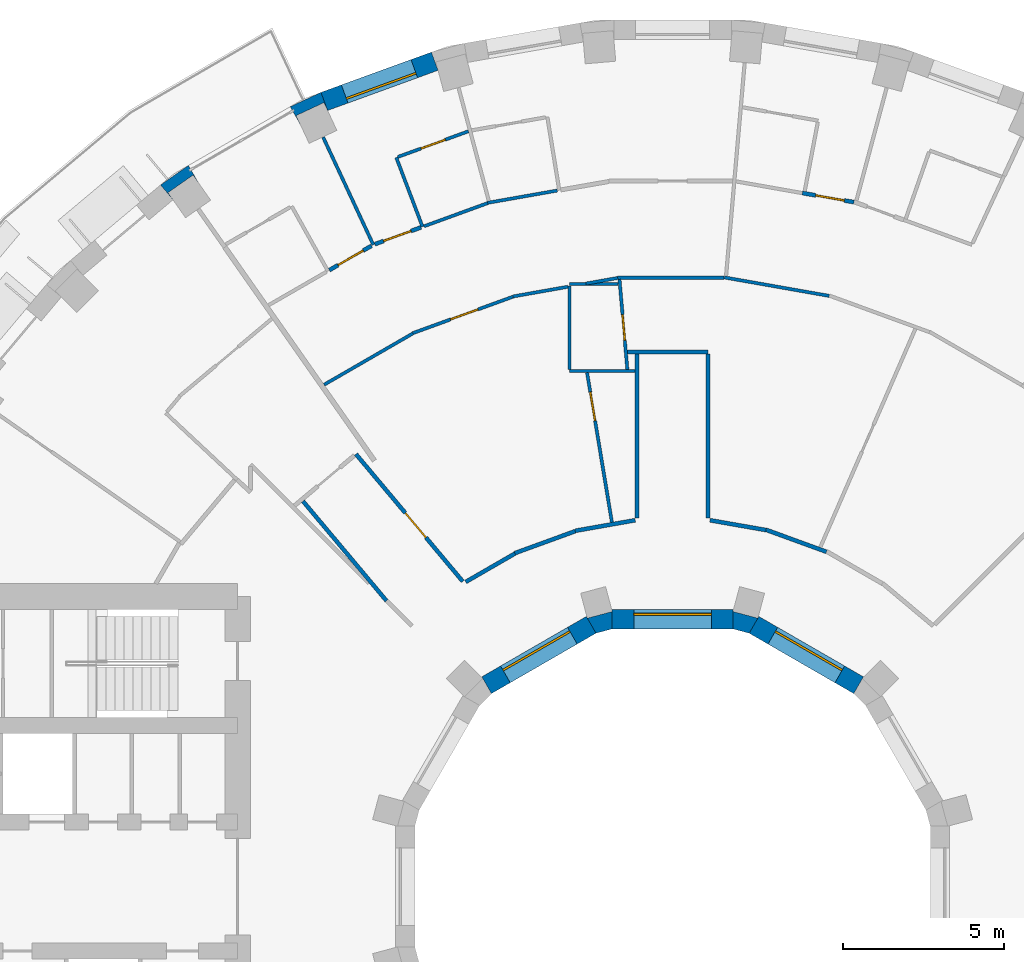
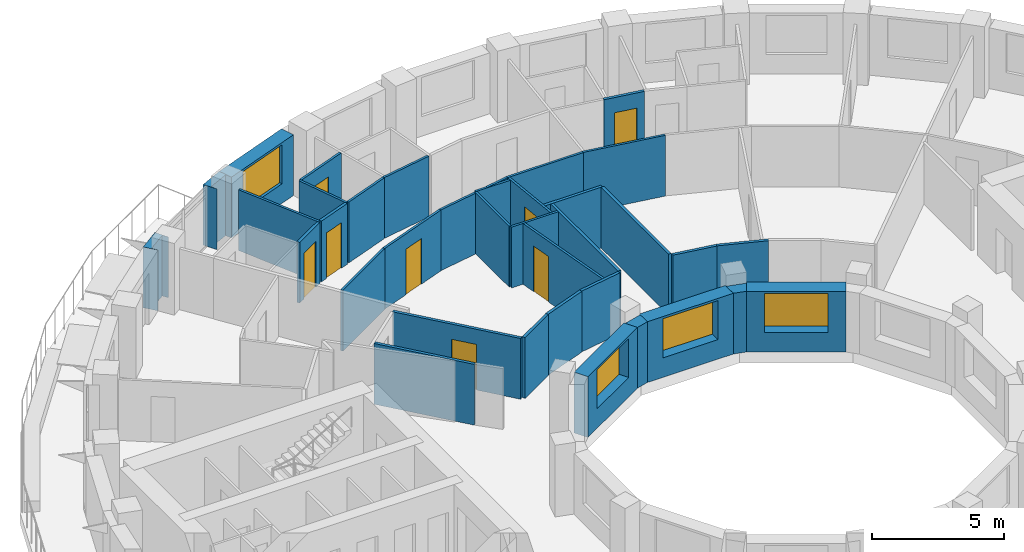
# One storey, part 11 of 14: 37 walls, 8 doors, 4 windows, 12 openings.
"""IFC4 building model written with IfcOpenShell, lengths in metres."""

from ifc_helpers import new_model, si_unit, direction, frame, frame_2d, origin, place, context, subcontext, project, spatial, polyline, rectangle, outline, extrude, material, layer, layer_set, type_object, element, fill, save


model = new_model("IFC4")

# Units and contexts
model_context = context("Model", 3, precision=1e-05, world=origin(), true_north=direction((0.0, 1.0)))
body_context = subcontext(model_context, "Body", "Model", "MODEL_VIEW")
ifc_project = project(units=[si_unit("LENGTHUNIT", "METRE"), si_unit("AREAUNIT", "SQUARE_METRE"), si_unit("VOLUMEUNIT", "CUBIC_METRE"), si_unit("PLANEANGLEUNIT", "RADIAN"), si_unit("MASSUNIT", "GRAM", prefix="KILO")], contexts=[model_context])

# Site, building, storey
site_placement = place(None, origin())
site = spatial("IfcSite", under=ifc_project, at=site_placement, CompositionType="ELEMENT")
building_placement = place(site_placement, origin())
building = spatial("IfcBuilding", under=site, at=building_placement, Name="Saqina Gate Tower", CompositionType="ELEMENT")
storey_placement = place(building_placement, frame((0.0, 0.0, 105.10009765625)))
storey = spatial("IfcBuildingStorey", under=building, at=storey_placement, Name="L29", CompositionType="ELEMENT", Elevation=105.10009765625)

# Walls
ifc_material_1 = material(Name="Brick masonry (buff)", Category="masonry")
wall_type_1 = type_object("IfcWallType", Name="BRICK PIER COPING BUFF", PredefinedType="SOLIDWALL", material=ifc_material_1)
wall_1_placement = place(storey_placement, origin())
element("IfcWall", 1, at=wall_1_placement, inside=storey, type_object=wall_type_1, Name="Pier cap L29 column 12", PredefinedType="SOLIDWALL", context=body_context, shape_type="SweptSolid", body=[
    extrude(outline(polyline([(-10.913330078125, 24.6513671875), (-11.869140625, 24.205810546875), (-11.569091796875, 23.68603515625), (-11.6826171875, 23.9296875), (-10.82177734375, 24.331298828125), (-10.7080078125, 24.08740234375), (-10.913330078125, 24.6513671875)])), origin(), (0.0, 0.0, 1.0), 2.7998046875),
])
wall_2_placement = place(storey_placement, origin())
element("IfcWall", 2, at=wall_2_placement, inside=storey, type_object=wall_type_1, Name="Pier cap L29 column 13", PredefinedType="SOLIDWALL", context=body_context, shape_type="SweptSolid", body=[
    extrude(outline(polyline([(-15.89208984375, 21.77685546875), (-15.50634765625, 21.317138671875), (-15.66064453125, 21.53759765625), (-14.88232421875, 22.08251953125), (-14.728271484375, 21.862060546875), (-15.0283203125, 22.3818359375), (-15.89208984375, 21.77685546875)])), origin(), (0.0, 0.0, 1.0), 2.7998046875),
])

# Wall, opening, window
ifc_material_2 = material(Name="Brick masonry (buff)", Category="masonry")
ifc_layer_1 = layer(ifc_material_2, 0.60009765625)
ifc_layer_set_1 = layer_set([ifc_layer_1], Name="FW-BRICK-BUFF")
wall_type_2 = type_object("IfcWallType", Name="FW-BRICK-BUFF", PredefinedType="SOLIDWALL", material=ifc_layer_set_1)
wall_3_placement = place(storey_placement, frame((-7.3828125, 25.616943359375, 0.0), z_axis=(0.0, 0.0, 1.0), x_axis=(-0.939703505393, -0.341990236633, 0.0)))
wall_3 = element("IfcWall", 3, at=wall_3_placement, inside=storey, type_object=wall_type_2, Name="Facade wall L29 facet 11", PredefinedType="SOLIDWALL", context=body_context, shape_type="SweptSolid", body=[
    extrude(rectangle(XDim=3.64794921875, YDim=0.60009765625, at=frame_2d((1.823974609375, 0.0))), origin(), (0.0, 0.0, 1.0), 2.7998046875),
])
opening_1_placement = place(wall_3_placement, frame((0.673828125, 0.0, 0.89990234375)))
opening_1 = element("IfcOpeningElement", 4, at=opening_1_placement, cuts=wall_3, Name="Opening G08-W09", PredefinedType="OPENING", context=body_context, shape_type="SweptSolid", body=[
    extrude(rectangle(XDim=2.300048828125, YDim=1.800048828125, at=frame_2d((1.14990234375, 0.89990234375))), frame((0.0, 0.31201171875, 0.0), z_axis=(0.0, -1.0, 0.0), x_axis=(1.0, 0.0, 0.0)), (0.0, 0.0, 1.0), 0.6240234375),
])
ifc_material_3 = material(Name="Aluminium glazing", Category="aluminium")
window_type_1 = type_object("IfcWindowType", Name="WN-B", PartitioningType="SINGLE_PANEL", PredefinedType="WINDOW", material=ifc_material_3)
window_1_placement = place(opening_1_placement, origin())
window_1 = element("IfcWindow", 5, at=window_1_placement, inside=storey, type_object=window_type_1, Name="Window L29 facet 11", OverallHeight=1.800048828125, OverallWidth=2.300048828125, PartitioningType="SINGLE_PANEL", PredefinedType="WINDOW", context=body_context, shape_type="SweptSolid", body=[
    extrude(rectangle(XDim=2.300048828125, YDim=1.800048828125, at=frame_2d((1.14990234375, 0.89990234375))), frame((0.0, 0.179931640625, 0.0), z_axis=(0.0, -1.0, 0.0), x_axis=(1.0, 0.0, 0.0)), (0.0, 0.0, 1.0), 0.06005859375),
])
fill(opening_1, window_1)

ifc_material_4 = material(Name="Glazed ceramic tile", Category="ceramic")
ifc_layer_2 = layer(ifc_material_4, 0.60009765625)
ifc_layer_set_2 = layer_set([ifc_layer_2], Name="IW-TILE")
wall_type_3 = type_object("IfcWallType", Name="IW-TILE", PredefinedType="SOLIDWALL", material=ifc_layer_set_2)
wall_4_placement = place(storey_placement, frame((5.772705078125, 6.251220703125, 0.0), z_axis=(0.0, 0.0, 1.0), x_axis=(-0.86604563398, 0.499964958637, 0.0)))
wall_4 = element("IfcWall", 6, at=wall_4_placement, inside=storey, type_object=wall_type_3, Name="Well wall L29 facet 2", PredefinedType="SOLIDWALL", context=body_context, shape_type="SweptSolid", body=[
    extrude(rectangle(XDim=3.747314453125, YDim=0.60009765625, at=frame_2d((1.87353515625, 0.0))), origin(), (0.0, 0.0, 1.0), 2.7998046875),
])
opening_2_placement = place(wall_4_placement, frame((0.673583984375, 0.0, 0.89990234375)))
opening_2 = element("IfcOpeningElement", 7, at=opening_2_placement, cuts=wall_4, Name="Opening G08-W24", PredefinedType="OPENING", context=body_context, shape_type="SweptSolid", body=[
    extrude(rectangle(XDim=2.39990234375, YDim=1.800048828125, at=frame_2d((1.199951171875, 0.89990234375))), frame((0.0, 0.31201171875, 0.0), z_axis=(0.0, -1.0, 0.0), x_axis=(1.0, 0.0, 0.0)), (0.0, 0.0, 1.0), 0.6240234375),
])
ifc_material_5 = material(Name="Aluminium glazing", Category="aluminium")
window_type_2 = type_object("IfcWindowType", Name="WN-W", PartitioningType="SINGLE_PANEL", PredefinedType="WINDOW", material=ifc_material_5)
window_2_placement = place(opening_2_placement, origin())
window_2 = element("IfcWindow", 8, at=window_2_placement, inside=storey, type_object=window_type_2, Name="Well window L29 facet 2", OverallHeight=1.800048828125, OverallWidth=2.39990234375, PartitioningType="SINGLE_PANEL", PredefinedType="WINDOW", context=body_context, shape_type="SweptSolid", body=[
    extrude(rectangle(XDim=2.39990234375, YDim=1.800048828125, at=frame_2d((1.199951171875, 0.89990234375))), frame((0.0, -0.119873046875, 0.0), z_axis=(0.0, -1.0, 0.0), x_axis=(1.0, 0.0, 0.0)), (0.0, 0.0, 1.0), 0.06005859375),
])
fill(opening_2, window_2)

wall_5_placement = place(storey_placement, frame((1.873779296875, 8.300048828125, 0.0), z_axis=(0.0, 0.0, 1.0), x_axis=(-1.0, 0.0, 0.0)))
wall_5 = element("IfcWall", 9, at=wall_5_placement, inside=storey, type_object=wall_type_3, Name="Well wall L29 facet 3", PredefinedType="SOLIDWALL", context=body_context, shape_type="SweptSolid", body=[
    extrude(rectangle(XDim=3.74755859375, YDim=0.60009765625, at=frame_2d((1.873779296875, 0.0))), origin(), (0.0, 0.0, 1.0), 2.7998046875),
])
opening_3_placement = place(wall_5_placement, frame((0.673583984375, 0.0, 0.89990234375)))
opening_3 = element("IfcOpeningElement", 10, at=opening_3_placement, cuts=wall_5, Name="Opening G08-W25", PredefinedType="OPENING", context=body_context, shape_type="SweptSolid", body=[
    extrude(rectangle(XDim=2.39990234375, YDim=1.800048828125, at=frame_2d((1.199951171875, 0.89990234375))), frame((0.0, 0.31201171875, 0.0), z_axis=(0.0, -1.0, 0.0), x_axis=(1.0, 0.0, 0.0)), (0.0, 0.0, 1.0), 0.6240234375),
])
window_3_placement = place(opening_3_placement, origin())
window_3 = element("IfcWindow", 11, at=window_3_placement, inside=storey, type_object=window_type_2, Name="Well window L29 facet 3", OverallHeight=1.800048828125, OverallWidth=2.39990234375, PartitioningType="SINGLE_PANEL", PredefinedType="WINDOW", context=body_context, shape_type="SweptSolid", body=[
    extrude(rectangle(XDim=2.39990234375, YDim=1.800048828125, at=frame_2d((1.199951171875, 0.89990234375))), frame((0.0, -0.119873046875, 0.0), z_axis=(0.0, -1.0, 0.0), x_axis=(1.0, 0.0, 0.0)), (0.0, 0.0, 1.0), 0.06005859375),
])
fill(opening_3, window_3)

wall_6_placement = place(storey_placement, frame((-2.52734375, 8.124755859375, 0.0), z_axis=(0.0, 0.0, 1.0), x_axis=(-0.86604563398, -0.499964958637, 0.0)))
wall_6 = element("IfcWall", 12, at=wall_6_placement, inside=storey, type_object=wall_type_3, Name="Well wall L29 facet 4", PredefinedType="SOLIDWALL", context=body_context, shape_type="SweptSolid", body=[
    extrude(rectangle(XDim=3.747314453125, YDim=0.60009765625, at=frame_2d((1.87353515625, 0.0))), origin(), (0.0, 0.0, 1.0), 2.7998046875),
])
opening_4_placement = place(wall_6_placement, frame((0.673583984375, 0.0, 0.89990234375)))
opening_4 = element("IfcOpeningElement", 13, at=opening_4_placement, cuts=wall_6, Name="Opening G08-W26", PredefinedType="OPENING", context=body_context, shape_type="SweptSolid", body=[
    extrude(rectangle(XDim=2.39990234375, YDim=1.800048828125, at=frame_2d((1.199951171875, 0.89990234375))), frame((0.0, 0.31201171875, 0.0), z_axis=(0.0, -1.0, 0.0), x_axis=(1.0, 0.0, 0.0)), (0.0, 0.0, 1.0), 0.6240234375),
])
window_4_placement = place(opening_4_placement, origin())
window_4 = element("IfcWindow", 14, at=window_4_placement, inside=storey, type_object=window_type_2, Name="Well window L29 facet 4", OverallHeight=1.800048828125, OverallWidth=2.39990234375, PartitioningType="SINGLE_PANEL", PredefinedType="WINDOW", context=body_context, shape_type="SweptSolid", body=[
    extrude(rectangle(XDim=2.39990234375, YDim=1.800048828125, at=frame_2d((1.199951171875, 0.89990234375))), frame((0.0, -0.119873046875, 0.0), z_axis=(0.0, -1.0, 0.0), x_axis=(1.0, 0.0, 0.0)), (0.0, 0.0, 1.0), 0.06005859375),
])
fill(opening_4, window_4)

# Wall, opening, door
ifc_material_6 = material(Name="Gypsum board on steel studs, 100 mm", Category="steel")
ifc_layer_3 = layer(ifc_material_6, 0.10009765625)
ifc_layer_set_3 = layer_set([ifc_layer_3], Name="PARTITION 100")
wall_type_4 = type_object("IfcWallType", Name="PARTITION 100", PredefinedType="PARTITIONING", material=ifc_layer_set_3)
wall_7_placement = place(storey_placement, frame((-1.64892578125, 18.84912109375, 0.0), z_axis=(0.0, 0.0, 1.0), x_axis=(0.087061215869, -0.996202963603, 0.0)))
wall_7 = element("IfcWall", 15, at=wall_7_placement, inside=storey, type_object=wall_type_4, Name="PARTITION PW3-01", PredefinedType="PARTITIONING", context=body_context, shape_type="SweptSolid", body=[
    extrude(rectangle(XDim=2.80712890625, YDim=0.10009765625, at=frame_2d((1.403564453125, 0.0))), origin(), (0.0, 0.0, 1.0), 2.7998046875),
])
opening_5_placement = place(wall_7_placement, frame((1.103271484375, 0.0, 0.0)))
opening_5 = element("IfcOpeningElement", 16, at=opening_5_placement, cuts=wall_7, Name="Opening G08-D10", PredefinedType="OPENING", context=body_context, shape_type="SweptSolid", body=[
    extrude(rectangle(XDim=0.800048828125, YDim=2.10009765625, at=frame_2d((0.39990234375, 1.050048828125))), frame((0.0, 0.06201171875, 0.0), z_axis=(0.0, -1.0, 0.0), x_axis=(1.0, 0.0, 0.0)), (0.0, 0.0, 1.0), 0.1240234375),
])
ifc_material_7 = material(Name="Timber door leaf, 800 mm", Category="wood")
door_type_1 = type_object("IfcDoorType", Name="DOOR 800 TIMBER", OperationType="SINGLE_SWING_LEFT", PredefinedType="DOOR", material=ifc_material_7)
door_1_placement = place(opening_5_placement, origin())
door_1 = element("IfcDoor", 17, at=door_1_placement, inside=storey, type_object=door_type_1, Name="DOOR G08-D10", OperationType="SINGLE_SWING_RIGHT", OverallHeight=2.10009765625, OverallWidth=0.800048828125, PredefinedType="DOOR", context=body_context, shape_type="SweptSolid", body=[
    extrude(rectangle(XDim=0.800048828125, YDim=2.10009765625, at=frame_2d((0.39990234375, 1.050048828125))), frame((0.0, 0.02490234375, 0.0), z_axis=(0.0, -1.0, 0.0), x_axis=(1.0, 0.0, 0.0)), (0.0, 0.0, 1.0), 0.050048828125),
])
fill(opening_5, door_1)

wall_8_placement = place(storey_placement, frame((-2.654541015625, 15.95068359375, 0.0), z_axis=(0.0, 0.0, 1.0), x_axis=(0.164012054584, -0.986458334625, 0.0)))
wall_8 = element("IfcWall", 18, at=wall_8_placement, inside=storey, type_object=wall_type_4, Name="PARTITION PW3-05", PredefinedType="PARTITIONING", context=body_context, shape_type="SweptSolid", body=[
    extrude(rectangle(XDim=4.706787109375, YDim=0.10009765625, at=frame_2d((2.353515625, 0.0))), origin(), (0.0, 0.0, 1.0), 2.7998046875),
])
opening_6_placement = place(wall_8_placement, frame((0.609619140625, 0.0, 0.0)))
opening_6 = element("IfcOpeningElement", 19, at=opening_6_placement, cuts=wall_8, Name="Opening G08-D11", PredefinedType="OPENING", context=body_context, shape_type="SweptSolid", body=[
    extrude(rectangle(XDim=0.89990234375, YDim=2.10009765625, at=frame_2d((0.449951171875, 1.050048828125))), frame((0.0, 0.06201171875, 0.0), z_axis=(0.0, -1.0, 0.0), x_axis=(1.0, 0.0, 0.0)), (0.0, 0.0, 1.0), 0.1240234375),
])
ifc_material_8 = material(Name="Timber door leaf, 900 mm", Category="wood")
door_type_2 = type_object("IfcDoorType", Name="DOOR 900 TIMBER", OperationType="SINGLE_SWING_LEFT", PredefinedType="DOOR", material=ifc_material_8)
door_2_placement = place(opening_6_placement, frame((0.89990234375, 0.0, 0.0), z_axis=(0.0, 0.0, 1.0), x_axis=(-1.0, 0.0, 0.0)))
door_2 = element("IfcDoor", 20, at=door_2_placement, inside=storey, type_object=door_type_2, Name="DOOR G08-D11", OperationType="SINGLE_SWING_RIGHT", OverallHeight=2.10009765625, OverallWidth=0.89990234375, PredefinedType="DOOR", context=body_context, shape_type="SweptSolid", body=[
    extrude(rectangle(XDim=0.89990234375, YDim=2.10009765625, at=frame_2d((0.449951171875, 1.050048828125))), frame((0.0, 0.02490234375, 0.0), z_axis=(0.0, -1.0, 0.0), x_axis=(1.0, 0.0, 0.0)), (0.0, 0.0, 1.0), 0.050048828125),
])
fill(opening_6, door_2)

# Walls
wall_9_placement = place(storey_placement, frame((-8.575927734375, 22.62890625, 0.0), z_axis=(0.0, 0.0, 1.0), x_axis=(0.354308635081, -0.935128542558, 0.0)))
element("IfcWall", 21, at=wall_9_placement, inside=storey, type_object=wall_type_4, Name="PARTITION PW3-11", PredefinedType="PARTITIONING", context=body_context, shape_type="SweptSolid", body=[
    extrude(rectangle(XDim=2.300048828125, YDim=0.10009765625, at=frame_2d((1.14990234375, 0.0))), origin(), (0.0, 0.0, 1.0), 2.7998046875),
])
wall_10_placement = place(storey_placement, frame((-10.8466796875, 23.26025390625, 0.0), z_axis=(0.0, 0.0, 1.0), x_axis=(0.422500901097, -0.906362503953, 0.0)))
element("IfcWall", 22, at=wall_10_placement, inside=storey, type_object=wall_type_4, Name="PARTITION PW3-12", PredefinedType="PARTITIONING", context=body_context, shape_type="SweptSolid", body=[
    extrude(rectangle(XDim=3.684326171875, YDim=0.10009765625, at=frame_2d((1.84228515625, 0.0))), origin(), (0.0, 0.0, 1.0), 2.7998046875),
])
wall_11_placement = place(storey_placement, frame((1.60302734375, 18.90771484375, 0.0), z_axis=(0.0, 0.0, 1.0), x_axis=(0.984831814927, -0.173511660439, 0.0)))
element("IfcWall", 23, at=wall_11_placement, inside=storey, type_object=wall_type_4, Name="PARTITION PW3-39", PredefinedType="PARTITIONING", context=body_context, shape_type="SweptSolid", body=[
    extrude(rectangle(XDim=3.30810546875, YDim=0.10009765625, at=frame_2d((1.654052734375, 0.0))), origin(), (0.0, 0.0, 1.0), 2.7998046875),
])
wall_12_placement = place(storey_placement, frame((-3.199951171875, 16.0, 0.0), z_axis=(0.0, 0.0, 1.0), x_axis=(1.0, 0.0, 0.0)))
element("IfcWall", 24, at=wall_12_placement, inside=storey, type_object=wall_type_4, Name="PARTITION PW3-44", PredefinedType="PARTITIONING", context=body_context, shape_type="SweptSolid", body=[
    extrude(rectangle(XDim=2.037353515625, YDim=0.10009765625, at=frame_2d((1.0185546875, 0.0))), origin(), (0.0, 0.0, 1.0), 2.7998046875),
])
wall_13_placement = place(storey_placement, frame((-3.197998046875, 18.699951171875, 0.0), z_axis=(0.0, 0.0, 1.0), x_axis=(1.0, 0.0, 0.0)))
element("IfcWall", 25, at=wall_13_placement, inside=storey, type_object=wall_type_4, Name="PARTITION PW3-45", PredefinedType="PARTITIONING", context=body_context, shape_type="SweptSolid", body=[
    extrude(rectangle(XDim=1.510986328125, YDim=0.10009765625, at=frame_2d((0.75537109375, 0.0))), origin(), (0.0, 0.0, 1.0), 2.7998046875),
])
wall_14_placement = place(storey_placement, frame((-1.703857421875, 18.89892578125, 0.0), z_axis=(0.0, 0.0, 1.0), x_axis=(1.0, 0.0, 0.0)))
element("IfcWall", 26, at=wall_14_placement, inside=storey, type_object=wall_type_4, Name="PARTITION PW3-46", PredefinedType="PARTITIONING", context=body_context, shape_type="SweptSolid", body=[
    extrude(rectangle(XDim=3.306884765625, YDim=0.10009765625, at=frame_2d((1.6533203125, 0.0))), origin(), (0.0, 0.0, 1.0), 2.7998046875),
])
wall_15_placement = place(storey_placement, frame((-4.959716796875, 18.3154296875, 0.0), z_axis=(0.0, 0.0, 1.0), x_axis=(0.984767989426, 0.173873537385, 0.0)))
element("IfcWall", 27, at=wall_15_placement, inside=storey, type_object=wall_type_4, Name="PARTITION PW3-50", PredefinedType="PARTITIONING", context=body_context, shape_type="SweptSolid", body=[
    extrude(rectangle(XDim=1.73681640625, YDim=0.10009765625, at=frame_2d((0.868408203125, 0.0))), origin(), (0.0, 0.0, 1.0), 2.7998046875),
])
wall_16_placement = place(storey_placement, frame((-2.6923828125, 18.715576171875, 0.0), z_axis=(0.0, 0.0, 1.0), x_axis=(0.984773780307, 0.173840736366, 0.0)))
element("IfcWall", 28, at=wall_16_placement, inside=storey, type_object=wall_type_4, Name="PARTITION PW3-51", PredefinedType="PARTITIONING", context=body_context, shape_type="SweptSolid", body=[
    extrude(rectangle(XDim=1.005615234375, YDim=0.10009765625, at=frame_2d((0.5029296875, 0.0))), origin(), (0.0, 0.0, 1.0), 2.7998046875),
])
wall_17_placement = place(storey_placement, frame((-5.739013671875, 21.22314453125, 0.0), z_axis=(0.0, 0.0, 1.0), x_axis=(0.984781317039, 0.173798036845, 0.0)))
element("IfcWall", 29, at=wall_17_placement, inside=storey, type_object=wall_type_4, Name="PARTITION PW3-52", PredefinedType="PARTITIONING", context=body_context, shape_type="SweptSolid", body=[
    extrude(rectangle(XDim=2.19287109375, YDim=0.10009765625, at=frame_2d((1.096435546875, 0.0))), origin(), (0.0, 0.0, 1.0), 2.7998046875),
])

# Wall, opening, door
wall_18_placement = place(storey_placement, frame((-8.065673828125, 17.1767578125, 0.0), z_axis=(0.0, 0.0, 1.0), x_axis=(0.939726606236, 0.341926754629, 0.0)))
wall_18 = element("IfcWall", 30, at=wall_18_placement, inside=storey, type_object=wall_type_4, Name="PARTITION PW3-57", PredefinedType="PARTITIONING", context=body_context, shape_type="SweptSolid", body=[
    extrude(rectangle(XDim=3.30810546875, YDim=0.10009765625, at=frame_2d((1.654052734375, 0.0))), origin(), (0.0, 0.0, 1.0), 2.7998046875),
])
opening_7_placement = place(wall_18_placement, frame((1.25439453125, 0.0, 0.0)))
opening_7 = element("IfcOpeningElement", 31, at=opening_7_placement, cuts=wall_18, Name="Opening G08-D14", PredefinedType="OPENING", context=body_context, shape_type="SweptSolid", body=[
    extrude(rectangle(XDim=0.89990234375, YDim=2.10009765625, at=frame_2d((0.449951171875, 1.050048828125))), frame((0.0, 0.06201171875, 0.0), z_axis=(0.0, -1.0, 0.0), x_axis=(1.0, 0.0, 0.0)), (0.0, 0.0, 1.0), 0.1240234375),
])
door_3_placement = place(opening_7_placement, frame((0.89990234375, 0.0, 0.0), z_axis=(0.0, 0.0, 1.0), x_axis=(-1.0, 0.0, 0.0)))
door_3 = element("IfcDoor", 32, at=door_3_placement, inside=storey, type_object=door_type_2, Name="DOOR G08-D14", OperationType="SINGLE_SWING_LEFT", OverallHeight=2.10009765625, OverallWidth=0.89990234375, PredefinedType="DOOR", context=body_context, shape_type="SweptSolid", body=[
    extrude(rectangle(XDim=0.89990234375, YDim=2.10009765625, at=frame_2d((0.449951171875, 1.050048828125))), frame((0.0, 0.02490234375, 0.0), z_axis=(0.0, -1.0, 0.0), x_axis=(1.0, 0.0, 0.0)), (0.0, 0.0, 1.0), 0.050048828125),
])
fill(opening_7, door_3)

# Wall
wall_19_placement = place(storey_placement, frame((-7.714111328125, 20.4951171875, 0.0), z_axis=(0.0, 0.0, 1.0), x_axis=(0.939725675468, 0.341929312674, 0.0)))
element("IfcWall", 33, at=wall_19_placement, inside=storey, type_object=wall_type_4, Name="PARTITION PW3-58", PredefinedType="PARTITIONING", context=body_context, shape_type="SweptSolid", body=[
    extrude(rectangle(XDim=2.10498046875, YDim=0.10009765625, at=frame_2d((1.052490234375, 0.0))), origin(), (0.0, 0.0, 1.0), 2.7998046875),
])

# Wall, opening, door
wall_20_placement = place(storey_placement, frame((-8.529052734375, 22.64599609375, 0.0), z_axis=(0.0, 0.0, 1.0), x_axis=(0.939707949959, 0.341978023831, 0.0)))
wall_20 = element("IfcWall", 34, at=wall_20_placement, inside=storey, type_object=wall_type_4, Name="PARTITION PW3-59", PredefinedType="PARTITIONING", context=body_context, shape_type="SweptSolid", body=[
    extrude(rectangle(XDim=2.3359375, YDim=0.10009765625, at=frame_2d((1.16796875, 0.0))), origin(), (0.0, 0.0, 1.0), 2.7998046875),
])
opening_8_placement = place(wall_20_placement, frame((0.767822265625, 0.0, 0.0)))
opening_8 = element("IfcOpeningElement", 35, at=opening_8_placement, cuts=wall_20, Name="Opening G08-D13", PredefinedType="OPENING", context=body_context, shape_type="SweptSolid", body=[
    extrude(rectangle(XDim=0.800048828125, YDim=2.10009765625, at=frame_2d((0.39990234375, 1.050048828125))), frame((0.0, 0.06201171875, 0.0), z_axis=(0.0, -1.0, 0.0), x_axis=(1.0, 0.0, 0.0)), (0.0, 0.0, 1.0), 0.1240234375),
])
door_4_placement = place(opening_8_placement, origin())
door_4 = element("IfcDoor", 36, at=door_4_placement, inside=storey, type_object=door_type_1, Name="DOOR G08-D13", OperationType="SINGLE_SWING_LEFT", OverallHeight=2.10009765625, OverallWidth=0.800048828125, PredefinedType="DOOR", context=body_context, shape_type="SweptSolid", body=[
    extrude(rectangle(XDim=0.800048828125, YDim=2.10009765625, at=frame_2d((0.39990234375, 1.050048828125))), frame((0.0, 0.02490234375, 0.0), z_axis=(0.0, -1.0, 0.0), x_axis=(1.0, 0.0, 0.0)), (0.0, 0.0, 1.0), 0.050048828125),
])
fill(opening_8, door_4)

# Walls
wall_21_placement = place(storey_placement, frame((-10.81591796875, 15.57763671875, 0.0), z_axis=(0.0, 0.0, 1.0), x_axis=(0.865900530636, 0.500216224292, 0.0)))
element("IfcWall", 37, at=wall_21_placement, inside=storey, type_object=wall_type_4, Name="PARTITION PW3-65", PredefinedType="PARTITIONING", context=body_context, shape_type="SweptSolid", body=[
    extrude(rectangle(XDim=3.18115234375, YDim=0.10009765625, at=frame_2d((1.590576171875, 0.0))), origin(), (0.0, 0.0, 1.0), 2.7998046875),
])
wall_22_placement = place(storey_placement, frame((-3.199951171875, 16.053955078125, 0.0), z_axis=(0.0, 0.0, 1.0), x_axis=(0.0, 1.0, 0.0)))
element("IfcWall", 38, at=wall_22_placement, inside=storey, type_object=wall_type_4, Name="PARTITION PW3-94", PredefinedType="PARTITIONING", context=body_context, shape_type="SweptSolid", body=[
    extrude(rectangle(XDim=2.593994140625, YDim=0.10009765625, at=frame_2d((1.296875, 0.0))), origin(), (0.0, 0.0, 1.0), 2.7998046875),
])
ifc_material_9 = material(Name="Gypsum board on steel studs, 125 mm, fire rated", Category="steel")
ifc_layer_4 = layer(ifc_material_9, 0.125)
ifc_layer_set_4 = layer_set([ifc_layer_4], Name="PARTITION EI 30 125")
wall_type_5 = type_object("IfcWallType", Name="PARTITION EI 30 125", PredefinedType="PARTITIONING", material=ifc_layer_set_4)
wall_23_placement = place(storey_placement, frame((-11.471923828125, 11.9619140625, 0.0), z_axis=(0.0, 0.0, 1.0), x_axis=(0.642533165624, -0.766257875048, 0.0)))
element("IfcWall", 39, at=wall_23_placement, inside=storey, type_object=wall_type_5, Name="PARTITION PW1-06", PredefinedType="PARTITIONING", context=body_context, shape_type="SweptSolid", body=[
    extrude(rectangle(XDim=4.033447265625, YDim=0.125, at=frame_2d((2.0166015625, 0.0))), origin(), (0.0, 0.0, 1.0), 2.7998046875),
])

# Wall, opening, door
wall_24_placement = place(storey_placement, frame((-9.827880859375, 13.423095703125, 0.0), z_axis=(0.0, 0.0, 1.0), x_axis=(0.642779949684, -0.766050870559, 0.0)))
wall_24 = element("IfcWall", 40, at=wall_24_placement, inside=storey, type_object=wall_type_5, Name="PARTITION PW1-07", PredefinedType="PARTITIONING", context=body_context, shape_type="SweptSolid", body=[
    extrude(rectangle(XDim=5.1552734375, YDim=0.125, at=frame_2d((2.57763671875, 0.0))), origin(), (0.0, 0.0, 1.0), 2.7998046875),
])
opening_9_placement = place(wall_24_placement, frame((2.38134765625, 0.0, 0.0)))
opening_9 = element("IfcOpeningElement", 41, at=opening_9_placement, cuts=wall_24, Name="Opening G08-D18", PredefinedType="OPENING", context=body_context, shape_type="SweptSolid", body=[
    extrude(rectangle(XDim=1.0, YDim=2.10009765625, at=frame_2d((0.5, 1.050048828125))), frame((0.0, 0.074462890625, 0.0), z_axis=(0.0, -1.0, 0.0), x_axis=(1.0, 0.0, 0.0)), (0.0, 0.0, 1.0), 0.14892578125),
])
ifc_material_10 = material(Name="Fire door leaf EI 30, 1000 mm")
door_type_3 = type_object("IfcDoorType", Name="DOOR 1000 EI 30", OperationType="SINGLE_SWING_LEFT", PredefinedType="DOOR", material=ifc_material_10)
door_5_placement = place(opening_9_placement, origin())
door_5 = element("IfcDoor", 42, at=door_5_placement, inside=storey, type_object=door_type_3, Name="DOOR G08-D18", OperationType="SINGLE_SWING_RIGHT", OverallHeight=2.10009765625, OverallWidth=1.0, PredefinedType="DOOR", context=body_context, shape_type="SweptSolid", body=[
    extrude(rectangle(XDim=1.0, YDim=2.10009765625, at=frame_2d((0.5, 1.050048828125))), frame((0.0, 0.02490234375, 0.0), z_axis=(0.0, -1.0, 0.0), x_axis=(1.0, 0.0, 0.0)), (0.0, 0.0, 1.0), 0.050048828125),
])
fill(opening_9, door_5)

# Wall
wall_25_placement = place(storey_placement, frame((2.902099609375, 11.073486328125, 0.0), z_axis=(0.0, 0.0, 1.0), x_axis=(0.939557391744, -0.342391453777, 0.0)))
element("IfcWall", 43, at=wall_25_placement, inside=storey, type_object=wall_type_5, Name="PARTITION PW1-20", PredefinedType="PARTITIONING", context=body_context, shape_type="SweptSolid", body=[
    extrude(rectangle(XDim=1.9951171875, YDim=0.125, at=frame_2d((0.99755859375, 0.0))), origin(), (0.0, 0.0, 1.0), 2.7998046875),
])

# Wall, opening, door
wall_26_placement = place(storey_placement, frame((4.02587890625, 21.527587890625, 0.0), z_axis=(0.0, 0.0, 1.0), x_axis=(0.984568254948, -0.175001003852, 0.0)))
wall_26 = element("IfcWall", 44, at=wall_26_placement, inside=storey, type_object=wall_type_5, Name="PARTITION PW1-23", PredefinedType="PARTITIONING", context=body_context, shape_type="SweptSolid", body=[
    extrude(rectangle(XDim=1.626708984375, YDim=0.125, at=frame_2d((0.8134765625, 0.0))), origin(), (0.0, 0.0, 1.0), 2.7998046875),
])
opening_10_placement = place(wall_26_placement, frame((0.42578125, 0.0, 0.0)))
opening_10 = element("IfcOpeningElement", 45, at=opening_10_placement, cuts=wall_26, Name="Opening G08-D07", PredefinedType="OPENING", context=body_context, shape_type="SweptSolid", body=[
    extrude(rectangle(XDim=0.89990234375, YDim=2.10009765625, at=frame_2d((0.449951171875, 1.050048828125))), frame((0.0, 0.074462890625, 0.0), z_axis=(0.0, -1.0, 0.0), x_axis=(1.0, 0.0, 0.0)), (0.0, 0.0, 1.0), 0.14892578125),
])
ifc_material_11 = material(Name="Fire door leaf EI 30, 900 mm")
door_type_4 = type_object("IfcDoorType", Name="DOOR 900 EI 30", OperationType="SINGLE_SWING_LEFT", PredefinedType="DOOR", material=ifc_material_11)
door_6_placement = place(opening_10_placement, frame((0.89990234375, 0.0, 0.0), z_axis=(0.0, 0.0, 1.0), x_axis=(-1.0, 0.0, 0.0)))
door_6 = element("IfcDoor", 46, at=door_6_placement, inside=storey, type_object=door_type_4, Name="DOOR G08-D07", OperationType="SINGLE_SWING_LEFT", OverallHeight=2.10009765625, OverallWidth=0.89990234375, PredefinedType="DOOR", context=body_context, shape_type="SweptSolid", body=[
    extrude(rectangle(XDim=0.89990234375, YDim=2.10009765625, at=frame_2d((0.449951171875, 1.050048828125))), frame((0.0, 0.02490234375, 0.0), z_axis=(0.0, -1.0, 0.0), x_axis=(1.0, 0.0, 0.0)), (0.0, 0.0, 1.0), 0.050048828125),
])
fill(opening_10, door_6)

# Walls
wall_27_placement = place(storey_placement, frame((1.15966796875, 11.371337890625, 0.0), z_axis=(0.0, 0.0, 1.0), x_axis=(0.984859944288, -0.173351925678, 0.0)))
element("IfcWall", 47, at=wall_27_placement, inside=storey, type_object=wall_type_5, Name="PARTITION PW1-25", PredefinedType="PARTITIONING", context=body_context, shape_type="SweptSolid", body=[
    extrude(rectangle(XDim=1.767578125, YDim=0.125, at=frame_2d((0.8837890625, 0.0))), origin(), (0.0, 0.0, 1.0), 2.7998046875),
])
wall_28_placement = place(storey_placement, frame((-1.40234375, 16.60009765625, 0.0), z_axis=(0.0, 0.0, 1.0), x_axis=(1.0, 0.0, 0.0)))
element("IfcWall", 48, at=wall_28_placement, inside=storey, type_object=wall_type_5, Name="PARTITION PW1-28", PredefinedType="PARTITIONING", context=body_context, shape_type="SweptSolid", body=[
    extrude(rectangle(XDim=2.50146484375, YDim=0.125, at=frame_2d((1.250732421875, 0.0))), origin(), (0.0, 0.0, 1.0), 2.7998046875),
])
wall_29_placement = place(storey_placement, frame((-3.024169921875, 11.04296875, 0.0), z_axis=(0.0, 0.0, 1.0), x_axis=(0.984843218933, 0.173446920187, 0.0)))
element("IfcWall", 49, at=wall_29_placement, inside=storey, type_object=wall_type_5, Name="PARTITION PW1-33", PredefinedType="PARTITIONING", context=body_context, shape_type="SweptSolid", body=[
    extrude(rectangle(XDim=1.893310546875, YDim=0.125, at=frame_2d((0.94677734375, 0.0))), origin(), (0.0, 0.0, 1.0), 2.7998046875),
])
wall_30_placement = place(storey_placement, frame((-4.8955078125, 10.349365234375, 0.0), z_axis=(0.0, 0.0, 1.0), x_axis=(0.939546719529, 0.342420738016, 0.0)))
element("IfcWall", 50, at=wall_30_placement, inside=storey, type_object=wall_type_5, Name="PARTITION PW1-36", PredefinedType="PARTITIONING", context=body_context, shape_type="SweptSolid", body=[
    extrude(rectangle(XDim=1.99560546875, YDim=0.125, at=frame_2d((0.997802734375, 0.0))), origin(), (0.0, 0.0, 1.0), 2.7998046875),
])

# Wall, opening, door
wall_31_placement = place(storey_placement, frame((-9.242919921875, 19.938232421875, 0.0), z_axis=(0.0, 0.0, 1.0), x_axis=(0.939611268692, 0.342243573711, 0.0)))
wall_31 = element("IfcWall", 51, at=wall_31_placement, inside=storey, type_object=wall_type_5, Name="PARTITION PW1-37", PredefinedType="PARTITIONING", context=body_context, shape_type="SweptSolid", body=[
    extrude(rectangle(XDim=1.52734375, YDim=0.125, at=frame_2d((0.763671875, 0.0))), origin(), (0.0, 0.0, 1.0), 2.7998046875),
])
opening_11_placement = place(wall_31_placement, frame((0.2939453125, 0.0, 0.0)))
opening_11 = element("IfcOpeningElement", 52, at=opening_11_placement, cuts=wall_31, Name="Opening G08-D15", PredefinedType="OPENING", context=body_context, shape_type="SweptSolid", body=[
    extrude(rectangle(XDim=0.89990234375, YDim=2.10009765625, at=frame_2d((0.449951171875, 1.050048828125))), frame((0.0, 0.074462890625, 0.0), z_axis=(0.0, -1.0, 0.0), x_axis=(1.0, 0.0, 0.0)), (0.0, 0.0, 1.0), 0.14892578125),
])
door_7_placement = place(opening_11_placement, frame((0.89990234375, 0.0, 0.0), z_axis=(0.0, 0.0, 1.0), x_axis=(-1.0, 0.0, 0.0)))
door_7 = element("IfcDoor", 53, at=door_7_placement, inside=storey, type_object=door_type_4, Name="DOOR G08-D15", OperationType="SINGLE_SWING_RIGHT", OverallHeight=2.10009765625, OverallWidth=0.89990234375, PredefinedType="DOOR", context=body_context, shape_type="SweptSolid", body=[
    extrude(rectangle(XDim=0.89990234375, YDim=2.10009765625, at=frame_2d((0.449951171875, 1.050048828125))), frame((0.0, 0.02490234375, 0.0), z_axis=(0.0, -1.0, 0.0), x_axis=(1.0, 0.0, 0.0)), (0.0, 0.0, 1.0), 0.050048828125),
])
fill(opening_11, door_7)

# Wall
wall_32_placement = place(storey_placement, frame((-6.42138671875, 9.456298828125, 0.0), z_axis=(0.0, 0.0, 1.0), x_axis=(0.866153397047, 0.499778243608, 0.0)))
element("IfcWall", 54, at=wall_32_placement, inside=storey, type_object=wall_type_5, Name="PARTITION PW1-40", PredefinedType="PARTITIONING", context=body_context, shape_type="SweptSolid", body=[
    extrude(rectangle(XDim=1.767822265625, YDim=0.125, at=frame_2d((0.8837890625, 0.0))), origin(), (0.0, 0.0, 1.0), 2.7998046875),
])

# Wall, opening, door
wall_33_placement = place(storey_placement, frame((-10.65478515625, 19.133056640625, 0.0), z_axis=(0.0, 0.0, 1.0), x_axis=(0.866040510187, 0.49997383403, 0.0)))
wall_33 = element("IfcWall", 55, at=wall_33_placement, inside=storey, type_object=wall_type_5, Name="PARTITION PW1-41", PredefinedType="PARTITIONING", context=body_context, shape_type="SweptSolid", body=[
    extrude(rectangle(XDim=1.51318359375, YDim=0.125, at=frame_2d((0.756591796875, 0.0))), origin(), (0.0, 0.0, 1.0), 2.7998046875),
])
opening_12_placement = place(wall_33_placement, frame((0.31298828125, 0.0, 0.0)))
opening_12 = element("IfcOpeningElement", 56, at=opening_12_placement, cuts=wall_33, Name="Opening G08-D16", PredefinedType="OPENING", context=body_context, shape_type="SweptSolid", body=[
    extrude(rectangle(XDim=0.89990234375, YDim=2.10009765625, at=frame_2d((0.449951171875, 1.050048828125))), frame((0.0, 0.074462890625, 0.0), z_axis=(0.0, -1.0, 0.0), x_axis=(1.0, 0.0, 0.0)), (0.0, 0.0, 1.0), 0.14892578125),
])
door_8_placement = place(opening_12_placement, frame((0.89990234375, 0.0, 0.0), z_axis=(0.0, 0.0, 1.0), x_axis=(-1.0, 0.0, 0.0)))
door_8 = element("IfcDoor", 57, at=door_8_placement, inside=storey, type_object=door_type_4, Name="DOOR G08-D16", OperationType="SINGLE_SWING_LEFT", OverallHeight=2.10009765625, OverallWidth=0.89990234375, PredefinedType="DOOR", context=body_context, shape_type="SweptSolid", body=[
    extrude(rectangle(XDim=0.89990234375, YDim=2.10009765625, at=frame_2d((0.449951171875, 1.050048828125))), frame((0.0, 0.02490234375, 0.0), z_axis=(0.0, -1.0, 0.0), x_axis=(1.0, 0.0, 0.0)), (0.0, 0.0, 1.0), 0.050048828125),
])
fill(opening_12, door_8)

# Walls
for number, where, z_axis, x_axis, name in (
    (58, (1.10009765625, 11.444580078125, 0.0), (0.0, 0.0, 1.0), (0.0, 1.0, 0.0), "PARTITION PW1-57"),
    (59, (-1.10009765625, 11.444580078125, 0.0), (0.0, 0.0, 1.0), (0.0, 1.0, 0.0), "PARTITION PW1-58"),
):
    element("IfcWall", number, at=place(storey_placement, frame(where, z_axis=z_axis, x_axis=x_axis)), inside=storey, type_object=wall_type_5, Name=name, PredefinedType="PARTITIONING", context=body_context, shape_type="SweptSolid", body=[
        extrude(rectangle(XDim=5.092041015625, YDim=0.125, at=frame_2d((2.5458984375, 0.0))), origin(), (0.0, 0.0, 1.0), 2.7998046875),
    ])
ifc_material_12 = material(Name="Glazed ceramic tile", Category="ceramic")
wall_type_6 = type_object("IfcWallType", Name="TILE PIER COPING", PredefinedType="SOLIDWALL", material=ifc_material_12)
wall_34_placement = place(storey_placement, origin())
element("IfcWall", 60, at=wall_34_placement, inside=storey, type_object=wall_type_6, Name="Well pier cap L29 column 3", PredefinedType="SOLIDWALL", context=body_context, shape_type="SweptSolid", body=[
    extrude(outline(polyline([(1.873779296875, 8.5380859375), (1.873779296875, 8.0), (2.377197265625, 7.864990234375), (2.646484375, 8.3310546875), (1.873779296875, 8.5380859375)])), origin(), (0.0, 0.0, 1.0), 2.7998046875),
])
wall_35_placement = place(storey_placement, origin())
element("IfcWall", 61, at=wall_35_placement, inside=storey, type_object=wall_type_6, Name="Well pier cap L29 column 4", PredefinedType="SOLIDWALL", context=body_context, shape_type="SweptSolid", body=[
    extrude(outline(polyline([(-2.646484375, 8.3310546875), (-2.377197265625, 7.864990234375), (-1.873779296875, 8.0), (-1.873779296875, 8.5380859375), (-2.646484375, 8.3310546875)])), origin(), (0.0, 0.0, 1.0), 2.7998046875),
])

save(model, "model.ifc")
